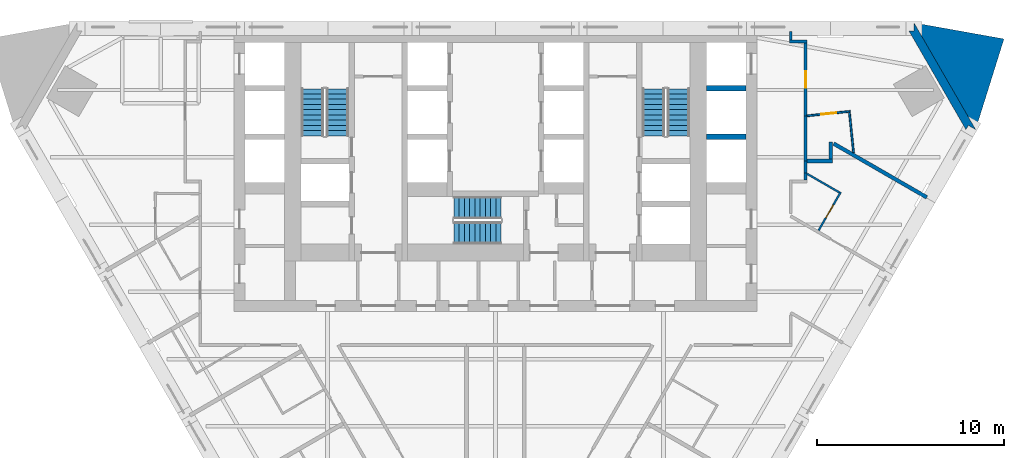
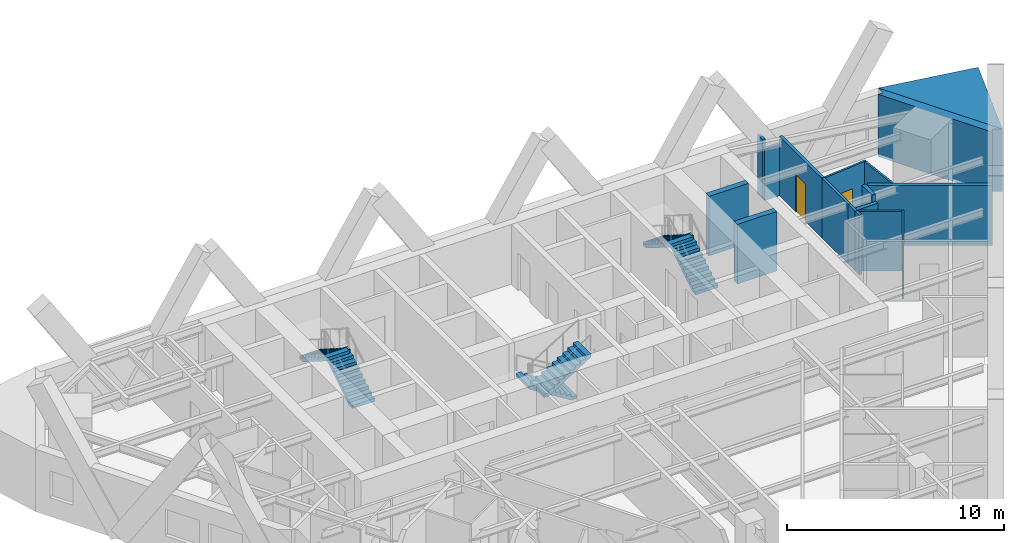
# One storey, part 8 of 9: 17 walls, 6 stair flights, 3 doors, 3 openings, 3 elements without a shape of their own.
"""IFC4 building model written with IfcOpenShell, lengths in metres."""

from ifc_helpers import new_model, si_unit, direction, frame, frame_2d, origin, place, context, subcontext, project, spatial, polyline, rectangle, outline, extrude, material, layer, layer_set, type_object, element, fill, aggregate, save


model = new_model("IFC4")

# Units and contexts
model_context = context("Model", 3, precision=1e-05, world=origin(), true_north=direction((0.0, 1.0)))
body_context = subcontext(model_context, "Body", "Model", "MODEL_VIEW")
ifc_project = project(units=[si_unit("LENGTHUNIT", "METRE"), si_unit("AREAUNIT", "SQUARE_METRE"), si_unit("VOLUMEUNIT", "CUBIC_METRE"), si_unit("PLANEANGLEUNIT", "RADIAN"), si_unit("MASSUNIT", "GRAM", prefix="KILO")], contexts=[model_context])

# Site, building, storey
site_placement = place(None, origin())
site = spatial("IfcSite", under=ifc_project, at=site_placement, CompositionType="ELEMENT")
building_placement = place(site_placement, origin())
building = spatial("IfcBuilding", under=site, at=building_placement, Name="Aloe Facet Convention Tower", CompositionType="ELEMENT")
storey_placement = place(building_placement, frame((0.0, 0.0, 42.0)))
storey = spatial("IfcBuildingStorey", under=building, at=storey_placement, Name="L08", CompositionType="ELEMENT", Elevation=42.0)

# Walls
ifc_material_1 = material(Name="Concrete C80/95", Category="concrete")
ifc_layer_1 = layer(ifc_material_1, 0.300048828125)
ifc_layer_set_1 = layer_set([ifc_layer_1], Name="CR-W-RC300-C8095")
wall_type_1 = type_object("IfcWallType", Name="CR-W-RC300-C8095", PredefinedType="SOLIDWALL", material=ifc_layer_set_1)
for number, where, z_axis, x_axis, name in (
    (1, (91.300048828125, 131.5, 0.0), (0.0, 0.0, 1.0), (1.0, 0.0, 0.0), "Core wall L08-048"),
    (2, (91.300048828125, 128.89990234375, 0.0), (0.0, 0.0, 1.0), (1.0, 0.0, 0.0), "Core wall L08-049"),
):
    element("IfcWall", number, at=place(storey_placement, frame(where, z_axis=z_axis, x_axis=x_axis)), inside=storey, type_object=wall_type_1, Name=name, PredefinedType="SOLIDWALL", context=body_context, shape_type="SweptSolid", body=[
        extrude(rectangle(XDim=2.099853515625, YDim=0.300048828125, at=frame_2d((1.0498046875, 0.0))), origin(), (0.0, 0.0, 1.0), 3.35009765625),
    ])
ifc_material_2 = material(Name="Precast concrete C40/50", Category="concrete")
ifc_layer_2 = layer(ifc_material_2, 0.449951171875)
ifc_layer_set_2 = layer_set([ifc_layer_2], Name="EV-WALL-PIER")
wall_type_2 = type_object("IfcWallType", Name="EV-WALL-PIER", PredefinedType="SOLIDWALL", material=ifc_layer_set_2)
wall_1_placement = place(storey_placement, frame((0.0, 0.0, -0.14990234375)))
element("IfcWall", 3, at=wall_1_placement, inside=storey, type_object=wall_type_2, Name="EP-L08-C", PredefinedType="SOLIDWALL", context=body_context, shape_type="SweptSolid", body=[
    extrude(outline(polyline([(105.699951171875, 129.2841796875), (105.310302734375, 129.50927734375), (105.180419921875, 129.2841796875), (102.14013671875, 134.550048828125), (102.39990234375, 134.550048828125), (102.39990234375, 135.0), (105.699951171875, 129.2841796875)])), origin(), (0.0, 0.0, 1.0), 3.5),
])
ifc_material_3 = material(Name="Precast concrete C40/50", Category="concrete")
ifc_layer_3 = layer(ifc_material_3, 3.947998046875)
ifc_layer_set_3 = layer_set([ifc_layer_3], Name="EV-WALL-SPINE")
wall_type_3 = type_object("IfcWallType", Name="EV-WALL-SPINE", PredefinedType="SOLIDWALL", material=ifc_layer_set_3)
wall_2_placement = place(storey_placement, frame((0.0, 0.0, -0.14990234375)))
element("IfcWall", 4, at=wall_2_placement, inside=storey, type_object=wall_type_3, Name="SP-NE-L08", PredefinedType="SOLIDWALL", context=body_context, shape_type="SweptSolid", body=[
    extrude(outline(polyline([(105.699951171875, 129.2841796875), (107.218017578125, 134.138916015625), (102.39990234375, 135.0), (105.699951171875, 129.2841796875)])), origin(), (0.0, 0.0, 1.0), 3.5),
])
ifc_material_4 = material(Name="Gypsum board partition on steel studs", Category="steel")
ifc_layer_4 = layer(ifc_material_4, 0.14990234375)
ifc_layer_set_4 = layer_set([ifc_layer_4], Name="IN-W-CORR")
wall_type_4 = type_object("IfcWallType", Name="IN-W-CORR", PredefinedType="PARTITIONING", material=ifc_layer_set_4)
wall_3_placement = place(storey_placement, frame((96.60009765625, 126.574951171875, 0.0), z_axis=(0.0, 0.0, 1.0), x_axis=(0.0, 1.0, 0.0)))
element("IfcWall", 5, at=wall_3_placement, inside=storey, type_object=wall_type_4, Name="Partition L08-W095", PredefinedType="PARTITIONING", context=body_context, shape_type="SweptSolid", body=[
    extrude(rectangle(XDim=0.388427734375, YDim=0.14990234375, at=frame_2d((0.1943359375, 0.0))), origin(), (0.0, 0.0, 1.0), 3.35009765625),
])
wall_4_placement = place(storey_placement, frame((96.60009765625, 126.96337890625, 0.0), z_axis=(0.0, 0.0, 1.0), x_axis=(0.0, 1.0, 0.0)))
element("IfcWall", 6, at=wall_4_placement, inside=storey, type_object=wall_type_4, Name="Partition L08-W097", PredefinedType="PARTITIONING", context=body_context, shape_type="SweptSolid", body=[
    extrude(rectangle(XDim=0.63671875, YDim=0.14990234375, at=frame_2d((0.318359375, 0.0))), origin(), (0.0, 0.0, 1.0), 3.35009765625),
])
wall_5_placement = place(storey_placement, frame((96.60009765625, 127.60009765625, 0.0), z_axis=(0.0, 0.0, 1.0), x_axis=(0.0, 1.0, 0.0)))
element("IfcWall", 7, at=wall_5_placement, inside=storey, type_object=wall_type_4, Name="Partition L08-W098", PredefinedType="PARTITIONING", context=body_context, shape_type="SweptSolid", body=[
    extrude(rectangle(XDim=2.412841796875, YDim=0.14990234375, at=frame_2d((1.20654296875, 0.0))), origin(), (0.0, 0.0, 1.0), 3.35009765625),
])
wall_6_placement = place(storey_placement, frame((95.72509765625, 134.0, 0.0), z_axis=(0.0, 0.0, 1.0), x_axis=(1.0, 0.0, 0.0)))
element("IfcWall", 8, at=wall_6_placement, inside=storey, type_object=wall_type_4, Name="Partition L08-W108", PredefinedType="PARTITIONING", context=body_context, shape_type="SweptSolid", body=[
    extrude(rectangle(XDim=0.949951171875, YDim=0.14990234375, at=frame_2d((0.47509765625, 0.0))), origin(), (0.0, 0.0, 1.0), 2.88671875),
])

# Wall, opening, door
wall_7_placement = place(storey_placement, frame((96.60009765625, 130.012939453125, 0.0), z_axis=(0.0, 0.0, 1.0), x_axis=(0.0, 1.0, 0.0)))
wall_7 = element("IfcWall", 9, at=wall_7_placement, inside=storey, type_object=wall_type_4, Name="Partition L08-W109", PredefinedType="PARTITIONING", context=body_context, shape_type="SweptSolid", body=[
    extrude(rectangle(XDim=3.912109375, YDim=0.14990234375, at=frame_2d((1.9560546875, 0.0))), origin(), (0.0, 0.0, 1.0), 3.35009765625),
])
opening_1_placement = place(wall_7_placement, frame((1.506103515625, 0.0, 0.0)))
opening_1 = element("IfcOpeningElement", 10, at=opening_1_placement, cuts=wall_7, Name="Opening L08-011", PredefinedType="OPENING", context=body_context, shape_type="SweptSolid", body=[
    extrude(rectangle(XDim=0.89990234375, YDim=2.10009765625, at=frame_2d((0.449951171875, 1.050048828125))), frame((0.0, 0.0849609375, 0.0), z_axis=(0.0, -1.0, 0.0), x_axis=(1.0, 0.0, 0.0)), (0.0, 0.0, 1.0), 0.169921875),
])
ifc_material_5 = material(Name="Hardwood flush door FD30S", Category="wood")
door_type_1 = type_object("IfcDoorType", Name="IN-D-GUEST", OperationType="SINGLE_SWING_LEFT", PredefinedType="DOOR", material=ifc_material_5)
door_1_placement = place(opening_1_placement, origin())
door_1 = element("IfcDoor", 11, at=door_1_placement, inside=storey, type_object=door_type_1, Name="Door L08-011", OperationType="SINGLE_SWING_LEFT", OverallHeight=2.10009765625, OverallWidth=0.89990234375, PredefinedType="DOOR", context=body_context, shape_type="SweptSolid", body=[
    extrude(rectangle(XDim=0.89990234375, YDim=2.10009765625, at=frame_2d((0.449951171875, 1.050048828125))), frame((0.0, 0.02490234375, 0.0), z_axis=(0.0, -1.0, 0.0), x_axis=(1.0, 0.0, 0.0)), (0.0, 0.0, 1.0), 0.050048828125),
])
fill(opening_1, door_1)

# Wall
wall_8_placement = place(storey_placement, frame((95.800048828125, 134.074951171875, 0.0), z_axis=(0.0, 0.0, 1.0), x_axis=(0.0, 1.0, 0.0)))
element("IfcWall", 12, at=wall_8_placement, inside=storey, type_object=wall_type_4, Name="Partition L08-W110", PredefinedType="PARTITIONING", context=body_context, shape_type="SweptSolid", body=[
    extrude(rectangle(XDim=0.465087890625, YDim=0.14990234375, at=frame_2d((0.232421875, 0.0))), origin(), (0.0, 0.0, 1.0), 3.35009765625),
])

# Wall, opening, door
ifc_material_6 = material(Name="Gypsum board partition on steel studs", Category="steel")
ifc_layer_5 = layer(ifc_material_6, 0.10009765625)
ifc_layer_set_5 = layer_set([ifc_layer_5], Name="IN-W-PART")
wall_type_5 = type_object("IfcWallType", Name="IN-W-PART", PredefinedType="PARTITIONING", material=ifc_layer_set_5)
wall_9_placement = place(storey_placement, frame((97.294677734375, 123.888916015625, 0.0), z_axis=(0.0, 0.0, 1.0), x_axis=(0.500002418582, 0.866024007411, 0.0)))
wall_9 = element("IfcWall", 13, at=wall_9_placement, inside=storey, type_object=wall_type_5, Name="Partition L08-W091", PredefinedType="PARTITIONING", context=body_context, shape_type="SweptSolid", body=[
    extrude(rectangle(XDim=2.365234375, YDim=0.10009765625, at=frame_2d((1.1826171875, 0.0))), origin(), (0.0, 0.0, 1.0), 3.35009765625),
])
opening_2_placement = place(wall_9_placement, frame((0.782470703125, 0.0, 0.0)))
opening_2 = element("IfcOpeningElement", 14, at=opening_2_placement, cuts=wall_9, Name="Opening L08-028", PredefinedType="OPENING", context=body_context, shape_type="SweptSolid", body=[
    extrude(rectangle(XDim=0.800048828125, YDim=2.10009765625, at=frame_2d((0.39990234375, 1.050048828125))), frame((0.0, 0.06005859375, 0.0), z_axis=(0.0, -1.0, 0.0), x_axis=(1.0, 0.0, 0.0)), (0.0, 0.0, 1.0), 0.1201171875),
])
ifc_material_7 = material(Name="Timber flush door", Category="wood")
door_type_2 = type_object("IfcDoorType", Name="IN-D-BATH", OperationType="SINGLE_SWING_LEFT", PredefinedType="DOOR", material=ifc_material_7)
door_2_placement = place(opening_2_placement, origin())
door_2 = element("IfcDoor", 15, at=door_2_placement, inside=storey, type_object=door_type_2, Name="Door L08-028", OperationType="SINGLE_SWING_LEFT", OverallHeight=2.10009765625, OverallWidth=0.800048828125, PredefinedType="DOOR", context=body_context, shape_type="SweptSolid", body=[
    extrude(rectangle(XDim=0.800048828125, YDim=2.10009765625, at=frame_2d((0.39990234375, 1.050048828125))), frame((0.0, 0.02490234375, 0.0), z_axis=(0.0, -1.0, 0.0), x_axis=(1.0, 0.0, 0.0)), (0.0, 0.0, 1.0), 0.050048828125),
])
fill(opening_2, door_2)

# Wall
wall_10_placement = place(storey_placement, frame((96.682373046875, 126.915771484375, 0.0), z_axis=(0.0, 0.0, 1.0), x_axis=(0.866026522829, -0.499998061752, 0.0)))
element("IfcWall", 16, at=wall_10_placement, inside=storey, type_object=wall_type_5, Name="Partition L08-W096", PredefinedType="PARTITIONING", context=body_context, shape_type="SweptSolid", body=[
    extrude(rectangle(XDim=1.99365234375, YDim=0.10009765625, at=frame_2d((0.996826171875, 0.0))), origin(), (0.0, 0.0, 1.0), 3.35009765625),
])

# Wall, opening, door
wall_11_placement = place(storey_placement, frame((96.674560546875, 130.0205078125, 0.0), z_axis=(0.0, 0.0, 1.0), x_axis=(0.994663603819, 0.103171290762, 0.0)))
wall_11 = element("IfcWall", 17, at=wall_11_placement, inside=storey, type_object=wall_type_5, Name="Partition L08-W104", PredefinedType="PARTITIONING", context=body_context, shape_type="SweptSolid", body=[
    extrude(rectangle(XDim=2.326171875, YDim=0.10009765625, at=frame_2d((1.1630859375, 0.0))), origin(), (0.0, 0.0, 1.0), 3.35009765625),
])
opening_3_placement = place(wall_11_placement, frame((0.76318359375, 0.0, 0.0)))
opening_3 = element("IfcOpeningElement", 18, at=opening_3_placement, cuts=wall_11, Name="Opening L08-027", PredefinedType="OPENING", context=body_context, shape_type="SweptSolid", body=[
    extrude(rectangle(XDim=0.800048828125, YDim=2.10009765625, at=frame_2d((0.39990234375, 1.050048828125))), frame((0.0, 0.06005859375, 0.0), z_axis=(0.0, -1.0, 0.0), x_axis=(1.0, 0.0, 0.0)), (0.0, 0.0, 1.0), 0.1201171875),
])
door_3_placement = place(opening_3_placement, origin())
door_3 = element("IfcDoor", 19, at=door_3_placement, inside=storey, type_object=door_type_2, Name="Door L08-027", OperationType="SINGLE_SWING_LEFT", OverallHeight=2.10009765625, OverallWidth=0.800048828125, PredefinedType="DOOR", context=body_context, shape_type="SweptSolid", body=[
    extrude(rectangle(XDim=0.800048828125, YDim=2.10009765625, at=frame_2d((0.39990234375, 1.050048828125))), frame((0.0, 0.02490234375, 0.0), z_axis=(0.0, -1.0, 0.0), x_axis=(1.0, 0.0, 0.0)), (0.0, 0.0, 1.0), 0.050048828125),
])
fill(opening_3, door_3)

# Walls
wall_12_placement = place(storey_placement, frame((98.94384765625, 130.20556640625, 0.0), z_axis=(0.0, 0.0, 1.0), x_axis=(0.103118312291, -0.994669097575, 0.0)))
element("IfcWall", 20, at=wall_12_placement, inside=storey, type_object=wall_type_5, Name="Partition L08-W105", PredefinedType="PARTITIONING", context=body_context, shape_type="SweptSolid", body=[
    extrude(rectangle(XDim=2.166259765625, YDim=0.10009765625, at=frame_2d((1.0830078125, 0.0))), origin(), (0.0, 0.0, 1.0), 3.35009765625),
])
ifc_material_8 = material(Name="Gypsum board partition on steel studs", Category="steel")
ifc_layer_6 = layer(ifc_material_8, 0.199951171875)
ifc_layer_set_6 = layer_set([ifc_layer_6], Name="IN-W-PARTY")
wall_type_6 = type_object("IfcWallType", Name="IN-W-PARTY", PredefinedType="PARTITIONING", material=ifc_layer_set_6)
wall_13_placement = place(storey_placement, frame((96.675048828125, 127.60009765625, 0.0), z_axis=(0.0, 0.0, 1.0), x_axis=(1.0, 0.0, 0.0)))
element("IfcWall", 21, at=wall_13_placement, inside=storey, type_object=wall_type_6, Name="Partition L08-W099", PredefinedType="PARTITIONING", context=body_context, shape_type="SweptSolid", body=[
    extrude(rectangle(XDim=1.376953125, YDim=0.199951171875, at=frame_2d((0.6884765625, 0.0))), origin(), (0.0, 0.0, 1.0), 2.9375),
])
wall_14_placement = place(storey_placement, frame((97.951904296875, 127.699951171875, 0.0), z_axis=(0.0, 0.0, 1.0), x_axis=(0.0, 1.0, 0.0)))
element("IfcWall", 22, at=wall_14_placement, inside=storey, type_object=wall_type_6, Name="Partition L08-W102", PredefinedType="PARTITIONING", context=body_context, shape_type="SweptSolid", body=[
    extrude(rectangle(XDim=0.920654296875, YDim=0.199951171875, at=frame_2d((0.46044921875, 0.0))), origin(), (0.0, 0.0, 1.0), 3.35009765625),
])
wall_15_placement = place(storey_placement, frame((98.101806640625, 128.533935546875, 0.0), z_axis=(0.0, 0.0, 1.0), x_axis=(0.866083868743, -0.499898722045, 0.0)))
element("IfcWall", 23, at=wall_15_placement, inside=storey, type_object=wall_type_6, Name="Partition L08-W103", PredefinedType="PARTITIONING", context=body_context, shape_type="SweptSolid", body=[
    extrude(rectangle(XDim=5.755126953125, YDim=0.199951171875, at=frame_2d((2.87744140625, 0.0))), origin(), (0.0, 0.0, 1.0), 3.35009765625),
])

# Stair, stair flights
ifc_material_9 = material(Name="Concrete C50/60", Category="concrete")
stair_type = type_object("IfcStairType", Name="CR-ST-20R", PredefinedType="HALF_TURN_STAIR", material=ifc_material_9)
stair_1_placement = place(storey_placement, origin())
stair_1 = element("IfcStair", 24, at=stair_1_placement, inside=storey, type_object=stair_type, Name="L08 Protected exit stair ST1", PredefinedType="HALF_TURN_STAIR")
ifc_material_10 = material(Name="Concrete C50/60", Category="concrete")
stair_flight_type = type_object("IfcStairFlightType", Name="CR-SFL-20R", PredefinedType="STRAIGHT", material=ifc_material_10)
stair_flight_1_placement = place(storey_placement, frame((71.550048828125, 128.949951171875, 0.0), z_axis=(0.0, 0.0, 1.0), x_axis=(0.0, 1.0, 0.0)))
stair_flight_1 = element("IfcStairFlight", 25, at=stair_flight_1_placement, type_object=stair_flight_type, Name="ST1 flight 1", NumberOfRisers=10, NumberOfTreads=9, PredefinedType="STRAIGHT", RiserHeight=0.175, TreadLength=0.28, context=body_context, shape_type="SweptSolid", body=[
    extrude(outline(polyline([(0.0, 0.0), (0.0, 0.175048828125), (0.280029296875, 0.175048828125), (0.280029296875, 0.35009765625), (0.56005859375, 0.35009765625), (0.56005859375, 0.52490234375), (0.840087890625, 0.52490234375), (0.840087890625, 0.699951171875), (1.1201171875, 0.699951171875), (1.1201171875, 0.875), (1.39990234375, 0.875), (1.39990234375, 1.050048828125), (1.679931640625, 1.050048828125), (1.679931640625, 1.22509765625), (1.9599609375, 1.22509765625), (1.9599609375, 1.39990234375), (2.239990234375, 1.39990234375), (2.239990234375, 1.574951171875), (2.52001953125, 1.574951171875), (2.52001953125, 1.75), (2.52001953125, 1.398193359375), (0.28271484375, 0.0), (0.0, 0.0)])), frame((0.0, 0.60009765625, 0.0), z_axis=(0.0, -1.0, 0.0), x_axis=(1.0, 0.0, 0.0)), (0.0, 0.0, 1.0), 1.199951171875),
])
stair_flight_2_placement = place(storey_placement, frame((70.199951171875, 131.469970703125, 1.75), z_axis=(0.0, 0.0, 1.0), x_axis=(0.0, -1.0, 0.0)))
stair_flight_2 = element("IfcStairFlight", 26, at=stair_flight_2_placement, type_object=stair_flight_type, Name="ST1 flight 2", NumberOfRisers=10, NumberOfTreads=9, PredefinedType="STRAIGHT", RiserHeight=0.175, TreadLength=0.28, context=body_context, shape_type="SweptSolid", body=[
    extrude(outline(polyline([(0.0, 0.0), (0.0, 0.175048828125), (0.280029296875, 0.175048828125), (0.280029296875, 0.35009765625), (0.56005859375, 0.35009765625), (0.56005859375, 0.52490234375), (0.840087890625, 0.52490234375), (0.840087890625, 0.699951171875), (1.1201171875, 0.699951171875), (1.1201171875, 0.875), (1.39990234375, 0.875), (1.39990234375, 1.050048828125), (1.679931640625, 1.050048828125), (1.679931640625, 1.22509765625), (1.9599609375, 1.22509765625), (1.9599609375, 1.39990234375), (2.239990234375, 1.39990234375), (2.239990234375, 1.574951171875), (2.52001953125, 1.574951171875), (2.52001953125, 1.75), (2.52001953125, 1.398193359375), (0.28271484375, 0.0), (0.0, 0.0)])), frame((0.0, 0.60009765625, 0.0), z_axis=(0.0, -1.0, 0.0), x_axis=(1.0, 0.0, 0.0)), (0.0, 0.0, 1.0), 1.199951171875),
])
aggregate(stair_1, [stair_flight_1, stair_flight_2])

stair_2_placement = place(storey_placement, origin())
stair_2 = element("IfcStair", 27, at=stair_2_placement, inside=storey, type_object=stair_type, Name="L08 Protected exit stair ST2", PredefinedType="HALF_TURN_STAIR")
stair_flight_3_placement = place(storey_placement, frame((89.800048828125, 128.949951171875, 0.0), z_axis=(0.0, 0.0, 1.0), x_axis=(0.0, 1.0, 0.0)))
stair_flight_3 = element("IfcStairFlight", 28, at=stair_flight_3_placement, type_object=stair_flight_type, Name="ST2 flight 1", NumberOfRisers=10, NumberOfTreads=9, PredefinedType="STRAIGHT", RiserHeight=0.175, TreadLength=0.28, context=body_context, shape_type="SweptSolid", body=[
    extrude(outline(polyline([(0.0, 0.0), (0.0, 0.175048828125), (0.280029296875, 0.175048828125), (0.280029296875, 0.35009765625), (0.56005859375, 0.35009765625), (0.56005859375, 0.52490234375), (0.840087890625, 0.52490234375), (0.840087890625, 0.699951171875), (1.1201171875, 0.699951171875), (1.1201171875, 0.875), (1.39990234375, 0.875), (1.39990234375, 1.050048828125), (1.679931640625, 1.050048828125), (1.679931640625, 1.22509765625), (1.9599609375, 1.22509765625), (1.9599609375, 1.39990234375), (2.239990234375, 1.39990234375), (2.239990234375, 1.574951171875), (2.52001953125, 1.574951171875), (2.52001953125, 1.75), (2.52001953125, 1.398193359375), (0.28271484375, 0.0), (0.0, 0.0)])), frame((0.0, 0.60009765625, 0.0), z_axis=(0.0, -1.0, 0.0), x_axis=(1.0, 0.0, 0.0)), (0.0, 0.0, 1.0), 1.199951171875),
])
stair_flight_4_placement = place(storey_placement, frame((88.449951171875, 131.469970703125, 1.75), z_axis=(0.0, 0.0, 1.0), x_axis=(0.0, -1.0, 0.0)))
stair_flight_4 = element("IfcStairFlight", 29, at=stair_flight_4_placement, type_object=stair_flight_type, Name="ST2 flight 2", NumberOfRisers=10, NumberOfTreads=9, PredefinedType="STRAIGHT", RiserHeight=0.175, TreadLength=0.28, context=body_context, shape_type="SweptSolid", body=[
    extrude(outline(polyline([(0.0, 0.0), (0.0, 0.175048828125), (0.280029296875, 0.175048828125), (0.280029296875, 0.35009765625), (0.56005859375, 0.35009765625), (0.56005859375, 0.52490234375), (0.840087890625, 0.52490234375), (0.840087890625, 0.699951171875), (1.1201171875, 0.699951171875), (1.1201171875, 0.875), (1.39990234375, 0.875), (1.39990234375, 1.050048828125), (1.679931640625, 1.050048828125), (1.679931640625, 1.22509765625), (1.9599609375, 1.22509765625), (1.9599609375, 1.39990234375), (2.239990234375, 1.39990234375), (2.239990234375, 1.574951171875), (2.52001953125, 1.574951171875), (2.52001953125, 1.75), (2.52001953125, 1.398193359375), (0.28271484375, 0.0), (0.0, 0.0)])), frame((0.0, 0.60009765625, 0.0), z_axis=(0.0, -1.0, 0.0), x_axis=(1.0, 0.0, 0.0)), (0.0, 0.0, 1.0), 1.199951171875),
])
aggregate(stair_2, [stair_flight_3, stair_flight_4])

stair_3_placement = place(storey_placement, origin())
stair_3 = element("IfcStair", 30, at=stair_3_placement, inside=storey, type_object=stair_type, Name="L08 Protected exit stair ST3", PredefinedType="HALF_TURN_STAIR")
stair_flight_5_placement = place(storey_placement, frame((80.300048828125, 125.10009765625, 0.0), z_axis=(0.0, 0.0, 1.0), x_axis=(-1.0, 0.0, 0.0)))
stair_flight_5 = element("IfcStairFlight", 31, at=stair_flight_5_placement, type_object=stair_flight_type, Name="ST3 flight 1", NumberOfRisers=10, NumberOfTreads=9, PredefinedType="STRAIGHT", RiserHeight=0.175, TreadLength=0.28, context=body_context, shape_type="SweptSolid", body=[
    extrude(outline(polyline([(0.0, 0.0), (0.0, 0.175048828125), (0.280029296875, 0.175048828125), (0.280029296875, 0.35009765625), (0.56005859375, 0.35009765625), (0.56005859375, 0.52490234375), (0.840087890625, 0.52490234375), (0.840087890625, 0.699951171875), (1.1201171875, 0.699951171875), (1.1201171875, 0.875), (1.39990234375, 0.875), (1.39990234375, 1.050048828125), (1.679931640625, 1.050048828125), (1.679931640625, 1.22509765625), (1.9599609375, 1.22509765625), (1.9599609375, 1.39990234375), (2.239990234375, 1.39990234375), (2.239990234375, 1.574951171875), (2.52001953125, 1.574951171875), (2.52001953125, 1.75), (2.52001953125, 1.398193359375), (0.28271484375, 0.0), (0.0, 0.0)])), frame((0.0, 0.60009765625, 0.0), z_axis=(0.0, -1.0, 0.0), x_axis=(1.0, 0.0, 0.0)), (0.0, 0.0, 1.0), 1.199951171875),
])
stair_flight_6_placement = place(storey_placement, frame((77.780029296875, 123.75, 1.75), z_axis=(0.0, 0.0, 1.0), x_axis=(1.0, 0.0, 0.0)))
stair_flight_6 = element("IfcStairFlight", 32, at=stair_flight_6_placement, type_object=stair_flight_type, Name="ST3 flight 2", NumberOfRisers=10, NumberOfTreads=9, PredefinedType="STRAIGHT", RiserHeight=0.175, TreadLength=0.28, context=body_context, shape_type="SweptSolid", body=[
    extrude(outline(polyline([(0.0, 0.0), (0.0, 0.175048828125), (0.280029296875, 0.175048828125), (0.280029296875, 0.35009765625), (0.56005859375, 0.35009765625), (0.56005859375, 0.52490234375), (0.840087890625, 0.52490234375), (0.840087890625, 0.699951171875), (1.1201171875, 0.699951171875), (1.1201171875, 0.875), (1.39990234375, 0.875), (1.39990234375, 1.050048828125), (1.679931640625, 1.050048828125), (1.679931640625, 1.22509765625), (1.9599609375, 1.22509765625), (1.9599609375, 1.39990234375), (2.239990234375, 1.39990234375), (2.239990234375, 1.574951171875), (2.52001953125, 1.574951171875), (2.52001953125, 1.75), (2.52001953125, 1.398193359375), (0.28271484375, 0.0), (0.0, 0.0)])), frame((0.0, 0.60009765625, 0.0), z_axis=(0.0, -1.0, 0.0), x_axis=(1.0, 0.0, 0.0)), (0.0, 0.0, 1.0), 1.199951171875),
])
aggregate(stair_3, [stair_flight_5, stair_flight_6])

save(model, "model.ifc")
